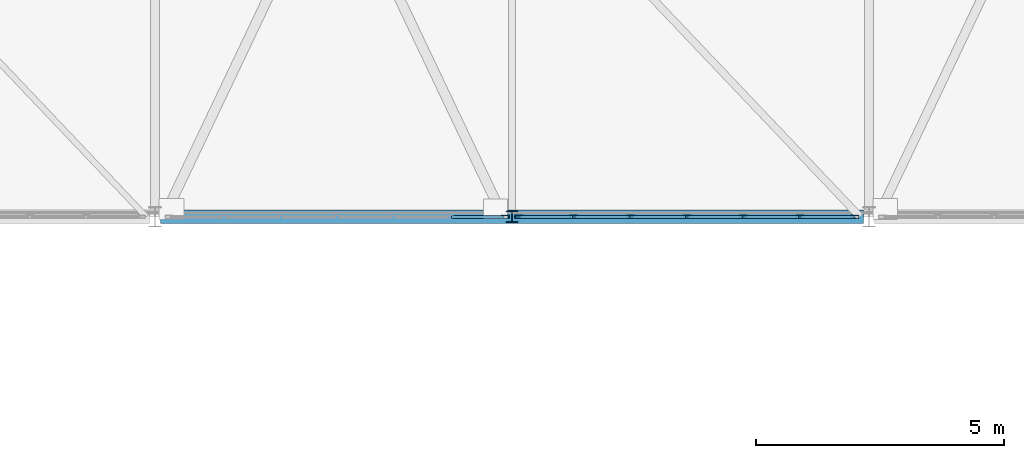
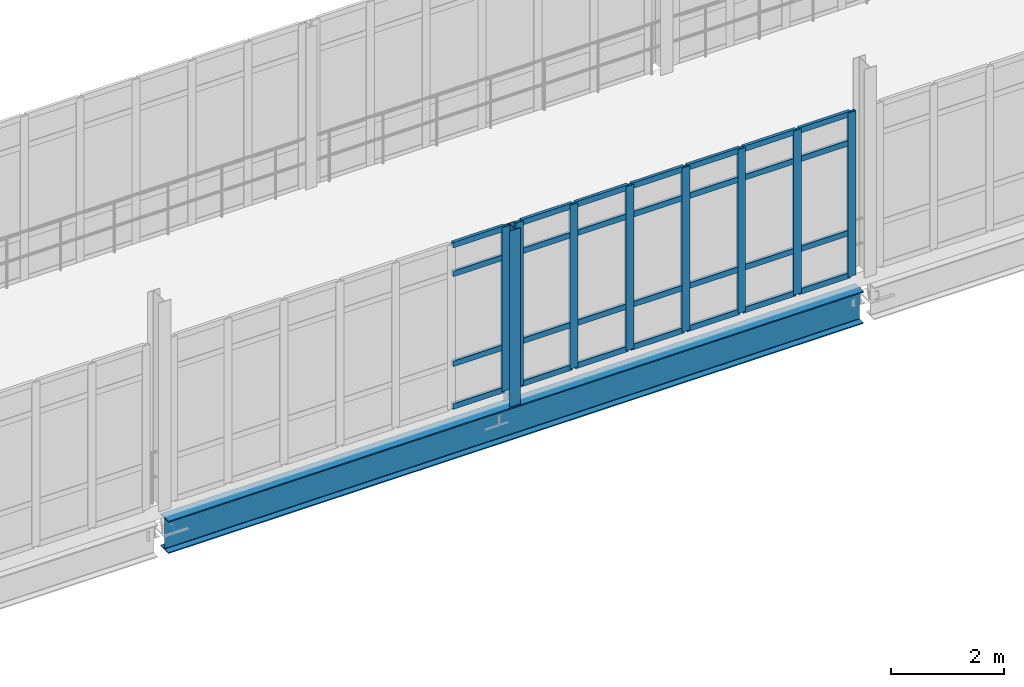
# One storey, part 21 of 116: 37 members, 1 beam, 2 elements without a shape of their own.
"""IFC4 building model written with IfcOpenShell, lengths in metres."""

from ifc_helpers import new_model, si_unit, direction, frame, origin, origin_2d, place, context, subcontext, project, spatial, hollow_rectangle, i_section, extrude, material, material_profile, profile_set, type_object, element, aggregate, save


model = new_model("IFC4")

# Units and contexts
model_context = context("Model", 3, precision=1e-05, world=origin(), true_north=direction((0.0, 1.0)))
body_context = subcontext(model_context, "Body", "Model", "MODEL_VIEW")
ifc_project = project(units=[si_unit("LENGTHUNIT", "METRE"), si_unit("AREAUNIT", "SQUARE_METRE"), si_unit("VOLUMEUNIT", "CUBIC_METRE"), si_unit("PLANEANGLEUNIT", "RADIAN"), si_unit("MASSUNIT", "GRAM", prefix="KILO")], contexts=[model_context])

# Site, building, storey
site_placement = place(None, origin())
site = spatial("IfcSite", under=ifc_project, at=site_placement, CompositionType="ELEMENT")
building_placement = place(site_placement, origin())
building = spatial("IfcBuilding", under=site, at=building_placement, Name="Kalluvel Institute of Natural Sciences", CompositionType="ELEMENT")
storey_placement = place(building_placement, frame((0.0, 0.0, 14.39990234375)))
storey = spatial("IfcBuildingStorey", under=building, at=storey_placement, Name="L03", CompositionType="ELEMENT", Elevation=14.39990234375)

# Beam
ifc_material_1 = material(Name="Steel E350 Grade 350", Category="steel")
ifc_material_profile_1 = material_profile(ifc_material_1, i_section(OverallWidth=0.280029296875, OverallDepth=0.699951171875, WebThickness=0.013916015625, FlangeThickness=0.02392578125, FilletRadius=0.01611328125, at=origin_2d()), Name="WPG 700x280")
ifc_profile_set_1 = profile_set([ifc_material_profile_1], Name="Steel E350 Grade 350")
beam_type = type_object("IfcBeamType", Name="BM-WPG700", PredefinedType="BEAM", material=ifc_profile_set_1)
beam_placement = place(storey_placement, frame((50.110107421875, 28.39990234375, -0.669921875), z_axis=(1.0, 0.0, 0.0), x_axis=(0.0, 1.0, 0.0)))
element("IfcBeam", 1, at=beam_placement, inside=storey, type_object=beam_type, Name="L03 link bridge main plate-girder chord 7", PredefinedType="BEAM", context=body_context, shape_type="SweptSolid", body=[
    extrude(i_section(OverallWidth=0.280029296875, OverallDepth=0.699951171875, WebThickness=0.013916015625, FlangeThickness=0.02392578125, FilletRadius=0.01611328125, at=origin_2d()), origin(), (0.0, 0.0, 1.0), 14.179931640625),
])

# Curtain wall, member
ifc_material_2 = material(Name="Aluminium AW-6063 T6", Category="aluminium")
curtain_wall_type = type_object("IfcCurtainWallType", Name="CW-BRG-45", PredefinedType="USERDEFINED", material=ifc_material_2)
curtain_wall_1_placement = place(storey_placement, origin())
curtain_wall_1 = element("IfcCurtainWall", 2, at=curtain_wall_1_placement, inside=storey, type_object=curtain_wall_type, Name="L03 Gothic lancet curtain wall CWA-L03-X502-Y284", ObjectType="UNITISED LANCET FACADE", PredefinedType="USERDEFINED")
ifc_material_profile_2 = material_profile(ifc_material_2, hollow_rectangle(XDim=0.06005859375, YDim=0.159912109375, WallThickness=0.00390625, at=origin_2d()), Name="CWM 60x160")
ifc_profile_set_2 = profile_set([ifc_material_profile_2], Name="Aluminium AW-6063 T6")
member_type_1 = type_object("IfcMemberType", Name="CWM-60x160", PredefinedType="MULLION", material=ifc_profile_set_2)
member_1_placement = place(storey_placement, frame((57.06005859375, 28.39990234375, 0.0), z_axis=(0.0, 0.0, 1.0), x_axis=(0.0, 1.0, 0.0)))
member_1 = element("IfcMember", 3, at=member_1_placement, type_object=member_type_1, Name="CW-07 mullion 7", PredefinedType="MULLION", context=body_context, shape_type="SweptSolid", body=[
    extrude(hollow_rectangle(XDim=0.06005859375, YDim=0.159912109375, WallThickness=0.00390625, at=origin_2d()), origin(), (0.0, 0.0, 1.0), 3.5400390625),
])

# Curtain wall, members
curtain_wall_2_placement = place(storey_placement, origin())
curtain_wall_2 = element("IfcCurtainWall", 4, at=curtain_wall_2_placement, inside=storey, type_object=curtain_wall_type, Name="L03 Gothic lancet curtain wall CWA-L03-X573-Y284", ObjectType="UNITISED LANCET FACADE", PredefinedType="USERDEFINED")
member_2_placement = place(storey_placement, frame((57.340087890625, 28.39990234375, 0.0), z_axis=(0.0, 0.0, 1.0), x_axis=(0.0, 1.0, 0.0)))
member_2 = element("IfcMember", 5, at=member_2_placement, type_object=member_type_1, Name="CW-07 mullion 1", PredefinedType="MULLION", context=body_context, shape_type="SweptSolid", body=[
    extrude(hollow_rectangle(XDim=0.06005859375, YDim=0.159912109375, WallThickness=0.00390625, at=origin_2d()), origin(), (0.0, 0.0, 1.0), 3.5400390625),
])
member_3_placement = place(storey_placement, frame((58.449951171875, 28.39990234375, 0.0), z_axis=(0.0, 0.0, 1.0), x_axis=(0.0, 1.0, 0.0)))
member_3 = element("IfcMember", 6, at=member_3_placement, type_object=member_type_1, Name="CW-07 mullion 2", PredefinedType="MULLION", context=body_context, shape_type="SweptSolid", body=[
    extrude(hollow_rectangle(XDim=0.06005859375, YDim=0.159912109375, WallThickness=0.00390625, at=origin_2d()), origin(), (0.0, 0.0, 1.0), 3.5400390625),
])
member_4_placement = place(storey_placement, frame((59.590087890625, 28.39990234375, 0.0), z_axis=(0.0, 0.0, 1.0), x_axis=(0.0, 1.0, 0.0)))
member_4 = element("IfcMember", 7, at=member_4_placement, type_object=member_type_1, Name="CW-07 mullion 3", PredefinedType="MULLION", context=body_context, shape_type="SweptSolid", body=[
    extrude(hollow_rectangle(XDim=0.06005859375, YDim=0.159912109375, WallThickness=0.00390625, at=origin_2d()), origin(), (0.0, 0.0, 1.0), 3.5400390625),
])
member_5_placement = place(storey_placement, frame((60.72998046875, 28.39990234375, 0.0), z_axis=(0.0, 0.0, 1.0), x_axis=(0.0, 1.0, 0.0)))
member_5 = element("IfcMember", 8, at=member_5_placement, type_object=member_type_1, Name="CW-07 mullion 4", PredefinedType="MULLION", context=body_context, shape_type="SweptSolid", body=[
    extrude(hollow_rectangle(XDim=0.06005859375, YDim=0.159912109375, WallThickness=0.00390625, at=origin_2d()), origin(), (0.0, 0.0, 1.0), 3.5400390625),
])
member_6_placement = place(storey_placement, frame((61.8701171875, 28.39990234375, 0.0), z_axis=(0.0, 0.0, 1.0), x_axis=(0.0, 1.0, 0.0)))
member_6 = element("IfcMember", 9, at=member_6_placement, type_object=member_type_1, Name="CW-07 mullion 5", PredefinedType="MULLION", context=body_context, shape_type="SweptSolid", body=[
    extrude(hollow_rectangle(XDim=0.06005859375, YDim=0.159912109375, WallThickness=0.00390625, at=origin_2d()), origin(), (0.0, 0.0, 1.0), 3.5400390625),
])
member_7_placement = place(storey_placement, frame((63.010009765625, 28.39990234375, 0.0), z_axis=(0.0, 0.0, 1.0), x_axis=(0.0, 1.0, 0.0)))
member_7 = element("IfcMember", 10, at=member_7_placement, type_object=member_type_1, Name="CW-07 mullion 6", PredefinedType="MULLION", context=body_context, shape_type="SweptSolid", body=[
    extrude(hollow_rectangle(XDim=0.06005859375, YDim=0.159912109375, WallThickness=0.00390625, at=origin_2d()), origin(), (0.0, 0.0, 1.0), 3.5400390625),
])
member_8_placement = place(storey_placement, frame((64.1201171875, 28.39990234375, 0.0), z_axis=(0.0, 0.0, 1.0), x_axis=(0.0, 1.0, 0.0)))
member_8 = element("IfcMember", 11, at=member_8_placement, type_object=member_type_1, Name="CW-07 mullion 7", PredefinedType="MULLION", context=body_context, shape_type="SweptSolid", body=[
    extrude(hollow_rectangle(XDim=0.06005859375, YDim=0.159912109375, WallThickness=0.00390625, at=origin_2d()), origin(), (0.0, 0.0, 1.0), 3.5400390625),
])

# Member
ifc_material_profile_3 = material_profile(ifc_material_2, hollow_rectangle(XDim=0.06005859375, YDim=0.1201171875, WallThickness=0.00390625, at=origin_2d()), Name="CWT 60x120")
ifc_profile_set_3 = profile_set([ifc_material_profile_3], Name="Aluminium AW-6063 T6")
member_type_2 = type_object("IfcMemberType", Name="CWT-60x120", PredefinedType="USERDEFINED", material=ifc_profile_set_3)
member_9_placement = place(storey_placement, frame((55.97998046875, 28.39990234375, 0.030029296875), z_axis=(1.0, 0.0, 0.0), x_axis=(0.0, 1.0, 0.0)))
member_9 = element("IfcMember", 12, at=member_9_placement, type_object=member_type_2, Name="CW-07 transom 6.1", ObjectType="TRANSOM", PredefinedType="USERDEFINED", context=body_context, shape_type="SweptSolid", body=[
    extrude(hollow_rectangle(XDim=0.06005859375, YDim=0.1201171875, WallThickness=0.00390625, at=origin_2d()), origin(), (0.0, 0.0, 1.0), 1.050048828125),
])

member_10_placement = place(storey_placement, frame((55.97998046875, 28.39990234375, 0.9501953125), z_axis=(1.0, 0.0, 0.0), x_axis=(0.0, 1.0, 0.0)))
member_10 = element("IfcMember", 13, at=member_10_placement, type_object=member_type_2, Name="CW-07 transom 6.2", ObjectType="TRANSOM", PredefinedType="USERDEFINED", context=body_context, shape_type="SweptSolid", body=[
    extrude(hollow_rectangle(XDim=0.06005859375, YDim=0.1201171875, WallThickness=0.00390625, at=origin_2d()), origin(), (0.0, 0.0, 1.0), 1.050048828125),
])

member_11_placement = place(storey_placement, frame((55.97998046875, 28.39990234375, 2.89013671875), z_axis=(1.0, 0.0, 0.0), x_axis=(0.0, 1.0, 0.0)))
member_11 = element("IfcMember", 14, at=member_11_placement, type_object=member_type_2, Name="CW-07 transom 6.3", ObjectType="TRANSOM", PredefinedType="USERDEFINED", context=body_context, shape_type="SweptSolid", body=[
    extrude(hollow_rectangle(XDim=0.06005859375, YDim=0.1201171875, WallThickness=0.00390625, at=origin_2d()), origin(), (0.0, 0.0, 1.0), 1.050048828125),
])

member_12_placement = place(storey_placement, frame((55.97998046875, 28.39990234375, 3.510009765625), z_axis=(1.0, 0.0, 0.0), x_axis=(0.0, 1.0, 0.0)))
member_12 = element("IfcMember", 15, at=member_12_placement, type_object=member_type_2, Name="CW-07 transom 6.4", ObjectType="TRANSOM", PredefinedType="USERDEFINED", context=body_context, shape_type="SweptSolid", body=[
    extrude(hollow_rectangle(XDim=0.06005859375, YDim=0.1201171875, WallThickness=0.00390625, at=origin_2d()), origin(), (0.0, 0.0, 1.0), 1.050048828125),
])

aggregate(curtain_wall_1, [member_1, member_9, member_10, member_11, member_12])

member_13_placement = place(storey_placement, frame((57.3701171875, 28.39990234375, 0.030029296875), z_axis=(1.0, 0.0, 0.0), x_axis=(0.0, 1.0, 0.0)))
member_13 = element("IfcMember", 16, at=member_13_placement, type_object=member_type_2, Name="CW-07 transom 1.1", ObjectType="TRANSOM", PredefinedType="USERDEFINED", context=body_context, shape_type="SweptSolid", body=[
    extrude(hollow_rectangle(XDim=0.06005859375, YDim=0.1201171875, WallThickness=0.00390625, at=origin_2d()), origin(), (0.0, 0.0, 1.0), 1.0498046875),
])

member_14_placement = place(storey_placement, frame((57.3701171875, 28.39990234375, 0.9501953125), z_axis=(1.0, 0.0, 0.0), x_axis=(0.0, 1.0, 0.0)))
member_14 = element("IfcMember", 17, at=member_14_placement, type_object=member_type_2, Name="CW-07 transom 1.2", ObjectType="TRANSOM", PredefinedType="USERDEFINED", context=body_context, shape_type="SweptSolid", body=[
    extrude(hollow_rectangle(XDim=0.06005859375, YDim=0.1201171875, WallThickness=0.00390625, at=origin_2d()), origin(), (0.0, 0.0, 1.0), 1.0498046875),
])

member_15_placement = place(storey_placement, frame((57.3701171875, 28.39990234375, 2.89013671875), z_axis=(1.0, 0.0, 0.0), x_axis=(0.0, 1.0, 0.0)))
member_15 = element("IfcMember", 18, at=member_15_placement, type_object=member_type_2, Name="CW-07 transom 1.3", ObjectType="TRANSOM", PredefinedType="USERDEFINED", context=body_context, shape_type="SweptSolid", body=[
    extrude(hollow_rectangle(XDim=0.06005859375, YDim=0.1201171875, WallThickness=0.00390625, at=origin_2d()), origin(), (0.0, 0.0, 1.0), 1.0498046875),
])

member_16_placement = place(storey_placement, frame((57.3701171875, 28.39990234375, 3.510009765625), z_axis=(1.0, 0.0, 0.0), x_axis=(0.0, 1.0, 0.0)))
member_16 = element("IfcMember", 19, at=member_16_placement, type_object=member_type_2, Name="CW-07 transom 1.4", ObjectType="TRANSOM", PredefinedType="USERDEFINED", context=body_context, shape_type="SweptSolid", body=[
    extrude(hollow_rectangle(XDim=0.06005859375, YDim=0.1201171875, WallThickness=0.00390625, at=origin_2d()), origin(), (0.0, 0.0, 1.0), 1.0498046875),
])

member_17_placement = place(storey_placement, frame((58.47998046875, 28.39990234375, 0.030029296875), z_axis=(1.0, 0.0, 0.0), x_axis=(0.0, 1.0, 0.0)))
member_17 = element("IfcMember", 20, at=member_17_placement, type_object=member_type_2, Name="CW-07 transom 2.1", ObjectType="TRANSOM", PredefinedType="USERDEFINED", context=body_context, shape_type="SweptSolid", body=[
    extrude(hollow_rectangle(XDim=0.06005859375, YDim=0.1201171875, WallThickness=0.00390625, at=origin_2d()), origin(), (0.0, 0.0, 1.0), 1.080078125),
])

member_18_placement = place(storey_placement, frame((58.47998046875, 28.39990234375, 0.9501953125), z_axis=(1.0, 0.0, 0.0), x_axis=(0.0, 1.0, 0.0)))
member_18 = element("IfcMember", 21, at=member_18_placement, type_object=member_type_2, Name="CW-07 transom 2.2", ObjectType="TRANSOM", PredefinedType="USERDEFINED", context=body_context, shape_type="SweptSolid", body=[
    extrude(hollow_rectangle(XDim=0.06005859375, YDim=0.1201171875, WallThickness=0.00390625, at=origin_2d()), origin(), (0.0, 0.0, 1.0), 1.080078125),
])

member_19_placement = place(storey_placement, frame((58.47998046875, 28.39990234375, 2.89013671875), z_axis=(1.0, 0.0, 0.0), x_axis=(0.0, 1.0, 0.0)))
member_19 = element("IfcMember", 22, at=member_19_placement, type_object=member_type_2, Name="CW-07 transom 2.3", ObjectType="TRANSOM", PredefinedType="USERDEFINED", context=body_context, shape_type="SweptSolid", body=[
    extrude(hollow_rectangle(XDim=0.06005859375, YDim=0.1201171875, WallThickness=0.00390625, at=origin_2d()), origin(), (0.0, 0.0, 1.0), 1.080078125),
])

member_20_placement = place(storey_placement, frame((58.47998046875, 28.39990234375, 3.510009765625), z_axis=(1.0, 0.0, 0.0), x_axis=(0.0, 1.0, 0.0)))
member_20 = element("IfcMember", 23, at=member_20_placement, type_object=member_type_2, Name="CW-07 transom 2.4", ObjectType="TRANSOM", PredefinedType="USERDEFINED", context=body_context, shape_type="SweptSolid", body=[
    extrude(hollow_rectangle(XDim=0.06005859375, YDim=0.1201171875, WallThickness=0.00390625, at=origin_2d()), origin(), (0.0, 0.0, 1.0), 1.080078125),
])

member_21_placement = place(storey_placement, frame((59.6201171875, 28.39990234375, 0.030029296875), z_axis=(1.0, 0.0, 0.0), x_axis=(0.0, 1.0, 0.0)))
member_21 = element("IfcMember", 24, at=member_21_placement, type_object=member_type_2, Name="CW-07 transom 3.1", ObjectType="TRANSOM", PredefinedType="USERDEFINED", context=body_context, shape_type="SweptSolid", body=[
    extrude(hollow_rectangle(XDim=0.06005859375, YDim=0.1201171875, WallThickness=0.00390625, at=origin_2d()), origin(), (0.0, 0.0, 1.0), 1.079833984375),
])

member_22_placement = place(storey_placement, frame((59.6201171875, 28.39990234375, 0.9501953125), z_axis=(1.0, 0.0, 0.0), x_axis=(0.0, 1.0, 0.0)))
member_22 = element("IfcMember", 25, at=member_22_placement, type_object=member_type_2, Name="CW-07 transom 3.2", ObjectType="TRANSOM", PredefinedType="USERDEFINED", context=body_context, shape_type="SweptSolid", body=[
    extrude(hollow_rectangle(XDim=0.06005859375, YDim=0.1201171875, WallThickness=0.00390625, at=origin_2d()), origin(), (0.0, 0.0, 1.0), 1.079833984375),
])

member_23_placement = place(storey_placement, frame((59.6201171875, 28.39990234375, 2.89013671875), z_axis=(1.0, 0.0, 0.0), x_axis=(0.0, 1.0, 0.0)))
member_23 = element("IfcMember", 26, at=member_23_placement, type_object=member_type_2, Name="CW-07 transom 3.3", ObjectType="TRANSOM", PredefinedType="USERDEFINED", context=body_context, shape_type="SweptSolid", body=[
    extrude(hollow_rectangle(XDim=0.06005859375, YDim=0.1201171875, WallThickness=0.00390625, at=origin_2d()), origin(), (0.0, 0.0, 1.0), 1.079833984375),
])

member_24_placement = place(storey_placement, frame((59.6201171875, 28.39990234375, 3.510009765625), z_axis=(1.0, 0.0, 0.0), x_axis=(0.0, 1.0, 0.0)))
member_24 = element("IfcMember", 27, at=member_24_placement, type_object=member_type_2, Name="CW-07 transom 3.4", ObjectType="TRANSOM", PredefinedType="USERDEFINED", context=body_context, shape_type="SweptSolid", body=[
    extrude(hollow_rectangle(XDim=0.06005859375, YDim=0.1201171875, WallThickness=0.00390625, at=origin_2d()), origin(), (0.0, 0.0, 1.0), 1.079833984375),
])

member_25_placement = place(storey_placement, frame((60.760009765625, 28.39990234375, 0.030029296875), z_axis=(1.0, 0.0, 0.0), x_axis=(0.0, 1.0, 0.0)))
member_25 = element("IfcMember", 28, at=member_25_placement, type_object=member_type_2, Name="CW-07 transom 4.1", ObjectType="TRANSOM", PredefinedType="USERDEFINED", context=body_context, shape_type="SweptSolid", body=[
    extrude(hollow_rectangle(XDim=0.06005859375, YDim=0.1201171875, WallThickness=0.00390625, at=origin_2d()), origin(), (0.0, 0.0, 1.0), 1.080078125),
])

member_26_placement = place(storey_placement, frame((60.760009765625, 28.39990234375, 0.9501953125), z_axis=(1.0, 0.0, 0.0), x_axis=(0.0, 1.0, 0.0)))
member_26 = element("IfcMember", 29, at=member_26_placement, type_object=member_type_2, Name="CW-07 transom 4.2", ObjectType="TRANSOM", PredefinedType="USERDEFINED", context=body_context, shape_type="SweptSolid", body=[
    extrude(hollow_rectangle(XDim=0.06005859375, YDim=0.1201171875, WallThickness=0.00390625, at=origin_2d()), origin(), (0.0, 0.0, 1.0), 1.080078125),
])

member_27_placement = place(storey_placement, frame((60.760009765625, 28.39990234375, 2.89013671875), z_axis=(1.0, 0.0, 0.0), x_axis=(0.0, 1.0, 0.0)))
member_27 = element("IfcMember", 30, at=member_27_placement, type_object=member_type_2, Name="CW-07 transom 4.3", ObjectType="TRANSOM", PredefinedType="USERDEFINED", context=body_context, shape_type="SweptSolid", body=[
    extrude(hollow_rectangle(XDim=0.06005859375, YDim=0.1201171875, WallThickness=0.00390625, at=origin_2d()), origin(), (0.0, 0.0, 1.0), 1.080078125),
])

member_28_placement = place(storey_placement, frame((60.760009765625, 28.39990234375, 3.510009765625), z_axis=(1.0, 0.0, 0.0), x_axis=(0.0, 1.0, 0.0)))
member_28 = element("IfcMember", 31, at=member_28_placement, type_object=member_type_2, Name="CW-07 transom 4.4", ObjectType="TRANSOM", PredefinedType="USERDEFINED", context=body_context, shape_type="SweptSolid", body=[
    extrude(hollow_rectangle(XDim=0.06005859375, YDim=0.1201171875, WallThickness=0.00390625, at=origin_2d()), origin(), (0.0, 0.0, 1.0), 1.080078125),
])

member_29_placement = place(storey_placement, frame((61.89990234375, 28.39990234375, 0.030029296875), z_axis=(1.0, 0.0, 0.0), x_axis=(0.0, 1.0, 0.0)))
member_29 = element("IfcMember", 32, at=member_29_placement, type_object=member_type_2, Name="CW-07 transom 5.1", ObjectType="TRANSOM", PredefinedType="USERDEFINED", context=body_context, shape_type="SweptSolid", body=[
    extrude(hollow_rectangle(XDim=0.06005859375, YDim=0.1201171875, WallThickness=0.00390625, at=origin_2d()), origin(), (0.0, 0.0, 1.0), 1.080078125),
])

member_30_placement = place(storey_placement, frame((61.89990234375, 28.39990234375, 0.9501953125), z_axis=(1.0, 0.0, 0.0), x_axis=(0.0, 1.0, 0.0)))
member_30 = element("IfcMember", 33, at=member_30_placement, type_object=member_type_2, Name="CW-07 transom 5.2", ObjectType="TRANSOM", PredefinedType="USERDEFINED", context=body_context, shape_type="SweptSolid", body=[
    extrude(hollow_rectangle(XDim=0.06005859375, YDim=0.1201171875, WallThickness=0.00390625, at=origin_2d()), origin(), (0.0, 0.0, 1.0), 1.080078125),
])

member_31_placement = place(storey_placement, frame((61.89990234375, 28.39990234375, 2.89013671875), z_axis=(1.0, 0.0, 0.0), x_axis=(0.0, 1.0, 0.0)))
member_31 = element("IfcMember", 34, at=member_31_placement, type_object=member_type_2, Name="CW-07 transom 5.3", ObjectType="TRANSOM", PredefinedType="USERDEFINED", context=body_context, shape_type="SweptSolid", body=[
    extrude(hollow_rectangle(XDim=0.06005859375, YDim=0.1201171875, WallThickness=0.00390625, at=origin_2d()), origin(), (0.0, 0.0, 1.0), 1.080078125),
])

member_32_placement = place(storey_placement, frame((61.89990234375, 28.39990234375, 3.510009765625), z_axis=(1.0, 0.0, 0.0), x_axis=(0.0, 1.0, 0.0)))
member_32 = element("IfcMember", 35, at=member_32_placement, type_object=member_type_2, Name="CW-07 transom 5.4", ObjectType="TRANSOM", PredefinedType="USERDEFINED", context=body_context, shape_type="SweptSolid", body=[
    extrude(hollow_rectangle(XDim=0.06005859375, YDim=0.1201171875, WallThickness=0.00390625, at=origin_2d()), origin(), (0.0, 0.0, 1.0), 1.080078125),
])

member_33_placement = place(storey_placement, frame((63.0400390625, 28.39990234375, 0.030029296875), z_axis=(1.0, 0.0, 0.0), x_axis=(0.0, 1.0, 0.0)))
member_33 = element("IfcMember", 36, at=member_33_placement, type_object=member_type_2, Name="CW-07 transom 6.1", ObjectType="TRANSOM", PredefinedType="USERDEFINED", context=body_context, shape_type="SweptSolid", body=[
    extrude(hollow_rectangle(XDim=0.06005859375, YDim=0.1201171875, WallThickness=0.00390625, at=origin_2d()), origin(), (0.0, 0.0, 1.0), 1.050048828125),
])

member_34_placement = place(storey_placement, frame((63.0400390625, 28.39990234375, 0.9501953125), z_axis=(1.0, 0.0, 0.0), x_axis=(0.0, 1.0, 0.0)))
member_34 = element("IfcMember", 37, at=member_34_placement, type_object=member_type_2, Name="CW-07 transom 6.2", ObjectType="TRANSOM", PredefinedType="USERDEFINED", context=body_context, shape_type="SweptSolid", body=[
    extrude(hollow_rectangle(XDim=0.06005859375, YDim=0.1201171875, WallThickness=0.00390625, at=origin_2d()), origin(), (0.0, 0.0, 1.0), 1.050048828125),
])

member_35_placement = place(storey_placement, frame((63.0400390625, 28.39990234375, 2.89013671875), z_axis=(1.0, 0.0, 0.0), x_axis=(0.0, 1.0, 0.0)))
member_35 = element("IfcMember", 38, at=member_35_placement, type_object=member_type_2, Name="CW-07 transom 6.3", ObjectType="TRANSOM", PredefinedType="USERDEFINED", context=body_context, shape_type="SweptSolid", body=[
    extrude(hollow_rectangle(XDim=0.06005859375, YDim=0.1201171875, WallThickness=0.00390625, at=origin_2d()), origin(), (0.0, 0.0, 1.0), 1.050048828125),
])

member_36_placement = place(storey_placement, frame((63.0400390625, 28.39990234375, 3.510009765625), z_axis=(1.0, 0.0, 0.0), x_axis=(0.0, 1.0, 0.0)))
member_36 = element("IfcMember", 39, at=member_36_placement, type_object=member_type_2, Name="CW-07 transom 6.4", ObjectType="TRANSOM", PredefinedType="USERDEFINED", context=body_context, shape_type="SweptSolid", body=[
    extrude(hollow_rectangle(XDim=0.06005859375, YDim=0.1201171875, WallThickness=0.00390625, at=origin_2d()), origin(), (0.0, 0.0, 1.0), 1.050048828125),
])

aggregate(curtain_wall_2, [member_2, member_3, member_4, member_5, member_6, member_7, member_8, member_13, member_14, member_15, member_16, member_17, member_18, member_19, member_20, member_21, member_22, member_23, member_24, member_25, member_26, member_27, member_28, member_29, member_30, member_31, member_32, member_33, member_34, member_35, member_36])

ifc_material_profile_4 = material_profile(ifc_material_1, i_section(OverallWidth=0.22509765625, OverallDepth=0.22509765625, WebThickness=0.008544921875, FlangeThickness=0.009033203125, FilletRadius=0.010009765625, at=origin_2d()), Name="ISHB 225")
ifc_profile_set_4 = profile_set([ifc_material_profile_4], Name="Steel E350 Grade 350")
member_type_3 = type_object("IfcMemberType", Name="MB-ST-ISHB225", PredefinedType="STRUT", material=ifc_profile_set_4)
member_37_placement = place(storey_placement, frame((57.199951171875, 28.39990234375, -0.31982421875), z_axis=(0.0, 0.0, 1.0), x_axis=(1.0, 0.0, 0.0)))
element("IfcMember", 40, at=member_37_placement, inside=storey, type_object=member_type_3, Name="Glazed link bridge truss post 21", PredefinedType="STRUT", context=body_context, shape_type="SweptSolid", body=[
    extrude(i_section(OverallWidth=0.22509765625, OverallDepth=0.22509765625, WebThickness=0.008544921875, FlangeThickness=0.009033203125, FilletRadius=0.010009765625, at=origin_2d()), origin(), (0.0, 0.0, 1.0), 3.7998046875),
])

save(model, "model.ifc")
